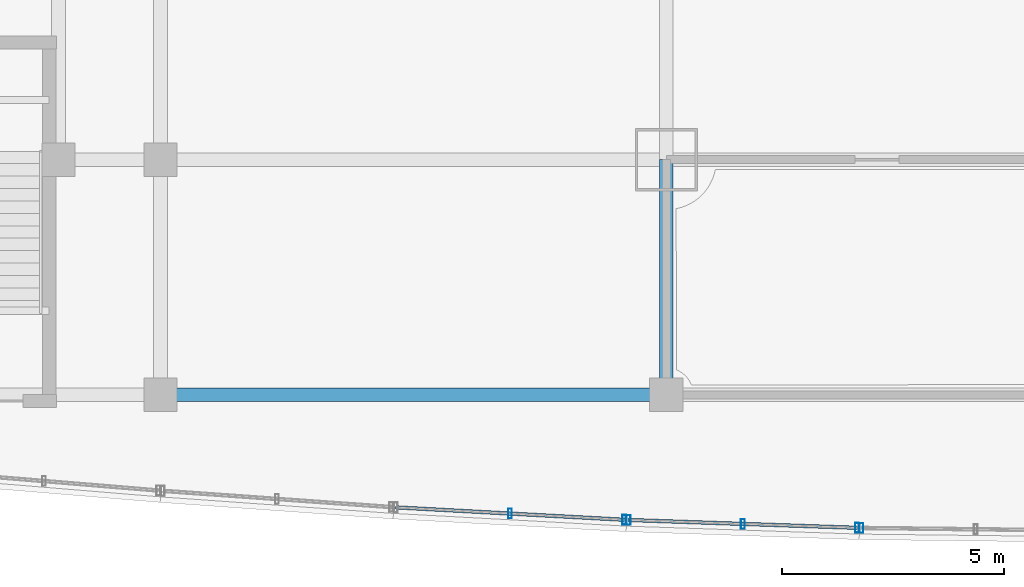
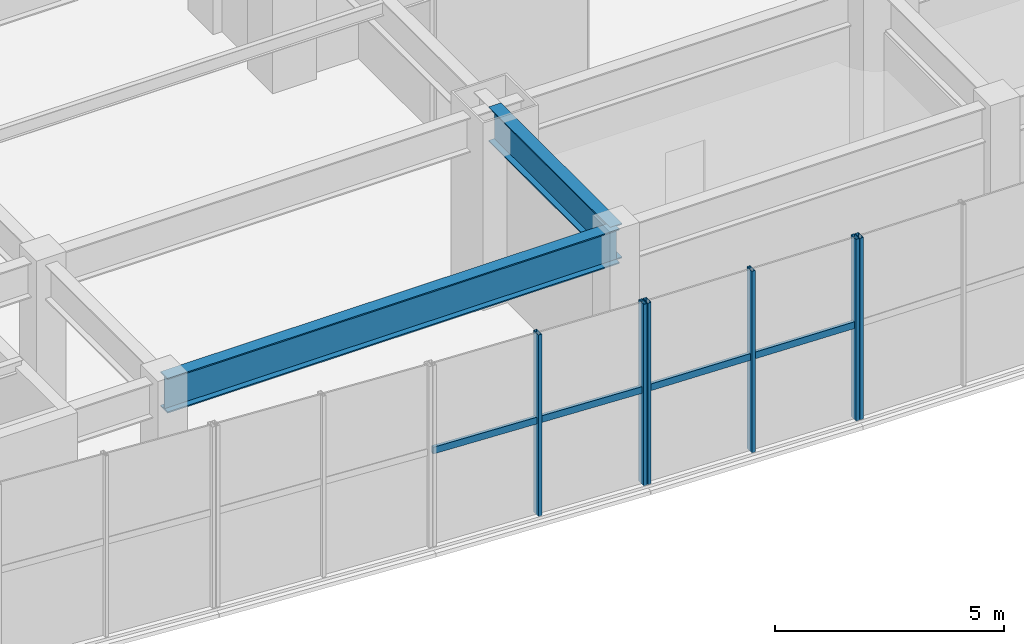
# One storey, part 4 of 24: 8 members, 2 beams, 3 elements without a shape of their own.
"""IFC4 building model written with IfcOpenShell, lengths in metres."""

from ifc_helpers import new_model, si_unit, direction, frame, origin, origin_2d, place, context, subcontext, project, spatial, hollow_rectangle, i_section, extrude, material, layer, layer_set, material_profile, profile_set, type_object, element, aggregate, save


model = new_model("IFC4")

# Units and contexts
model_context = context("Model", 3, precision=1e-05, world=origin(), true_north=direction((0.0, 1.0)))
body_context = subcontext(model_context, "Body", "Model", "MODEL_VIEW")
ifc_project = project(units=[si_unit("LENGTHUNIT", "METRE"), si_unit("AREAUNIT", "SQUARE_METRE"), si_unit("VOLUMEUNIT", "CUBIC_METRE"), si_unit("PLANEANGLEUNIT", "RADIAN"), si_unit("MASSUNIT", "GRAM", prefix="KILO")], contexts=[model_context])

# Site, building, storey
site_placement = place(None, origin())
site = spatial("IfcSite", under=ifc_project, at=site_placement, CompositionType="ELEMENT")
building_placement = place(site_placement, origin())
building = spatial("IfcBuilding", under=site, at=building_placement, Name="Vantalir Tower", CompositionType="ELEMENT")
storey_placement = place(building_placement, frame((0.0, 0.0, 11.0)))
storey = spatial("IfcBuildingStorey", under=building, at=storey_placement, Name="L02", CompositionType="ELEMENT", Elevation=11.0)

# Beams
ifc_material_1 = material(Name="Steel S355", Category="steel")
ifc_material_profile_1 = material_profile(ifc_material_1, i_section(OverallWidth=0.30810546875, OverallDepth=0.927001953125, WebThickness=0.01953125, FlangeThickness=0.031982421875, at=origin_2d()), Name="Steel S355")
ifc_profile_set_1 = profile_set([ifc_material_profile_1], Name="Steel S355")
beam_type = type_object("IfcBeamType", Name="BM-PG-914x305", PredefinedType="USERDEFINED", material=ifc_profile_set_1)
beam_1_placement = place(storey_placement, frame((10.5, 3.199951171875, 4.35595703125), z_axis=(1.0, 0.0, 0.0), x_axis=(0.0, 1.0, 0.0)))
element("IfcBeam", 1, at=beam_1_placement, inside=storey, type_object=beam_type, Name="Level 02 Podium E-W Girder 02", ObjectType="GIRDER", PredefinedType="USERDEFINED", context=body_context, shape_type="SweptSolid", body=[
    extrude(i_section(OverallWidth=0.30810546875, OverallDepth=0.927001953125, WebThickness=0.01953125, FlangeThickness=0.031982421875, at=origin_2d()), origin(), (0.0, 0.0, 1.0), 11.39990234375),
])
beam_2_placement = place(storey_placement, frame((21.89990234375, 3.199951171875, 4.35595703125), z_axis=(0.0, 1.0, 0.0), x_axis=(-1.0, 0.0, 0.0)))
element("IfcBeam", 2, at=beam_2_placement, inside=storey, type_object=beam_type, Name="Level 02 Podium N-S Girder 56", ObjectType="GIRDER", PredefinedType="USERDEFINED", context=body_context, shape_type="SweptSolid", body=[
    extrude(i_section(OverallWidth=0.30810546875, OverallDepth=0.927001953125, WebThickness=0.01953125, FlangeThickness=0.031982421875, at=origin_2d()), origin(), (0.0, 0.0, 1.0), 5.300048828125),
])

# Curtain wall, members
ifc_material_2 = material(Name="Champagne-silver PVDF aluminium and double-silver Low-E glass", Category="aluminium")
ifc_layer = layer(ifc_material_2, 0.239990234375)
ifc_layer_set = layer_set([ifc_layer], Name="Champagne-silver PVDF aluminium and double-silver Low-E glass")
curtain_wall_type = type_object("IfcCurtainWallType", Name="CW-PODIUM-WF", PredefinedType="USERDEFINED", material=ifc_layer_set)
curtain_wall_1_placement = place(storey_placement, origin())
curtain_wall_1 = element("IfcCurtainWall", 3, at=curtain_wall_1_placement, inside=storey, type_object=curtain_wall_type, Name="Level 02 Waterfront Stick Curtain Wall 04", ObjectType="STICK CURTAIN WALL", PredefinedType="USERDEFINED")
ifc_material_3 = material(Name="Champagne-silver PVDF aluminium 6063-T6", Category="aluminium")
ifc_material_profile_2 = material_profile(ifc_material_3, hollow_rectangle(XDim=0.0849609375, YDim=0.219970703125, WallThickness=0.0048828125, at=origin_2d()), Name="Champagne-silver PVDF aluminium 6063-T6")
ifc_profile_set_2 = profile_set([ifc_material_profile_2], Name="Champagne-silver PVDF aluminium 6063-T6")
member_type_1 = type_object("IfcMemberType", Name="CWM-220x85", PredefinedType="MULLION", material=ifc_profile_set_2)
member_1_placement = place(storey_placement, frame((18.375, 0.52392578125, -0.011962890625), z_axis=(0.0, 0.0, 1.0), x_axis=(1.0, 0.0, 0.0)))
member_1 = element("IfcMember", 4, at=member_1_placement, type_object=member_type_1, Name="CW-L02-WF-04 Mullion 2", PredefinedType="MULLION", context=body_context, shape_type="SweptSolid", body=[
    extrude(hollow_rectangle(XDim=0.0849609375, YDim=0.219970703125, WallThickness=0.0048828125, at=origin_2d()), origin(), (0.0, 0.0, 1.0), 4.843994140625),
])
member_2_placement = place(storey_placement, frame((20.949951171875, 0.384033203125, -0.011962890625), z_axis=(0.0, 0.0, 1.0), x_axis=(1.0, 0.0, 0.0)))
member_2 = element("IfcMember", 5, at=member_2_placement, type_object=member_type_1, Name="CW-L02-WF-04 Mullion 3", PredefinedType="MULLION", context=body_context, shape_type="SweptSolid", body=[
    extrude(hollow_rectangle(XDim=0.0849609375, YDim=0.219970703125, WallThickness=0.0048828125, at=origin_2d()), origin(), (0.0, 0.0, 1.0), 4.843994140625),
])

curtain_wall_2_placement = place(storey_placement, origin())
curtain_wall_2 = element("IfcCurtainWall", 6, at=curtain_wall_2_placement, inside=storey, type_object=curtain_wall_type, Name="Level 02 Waterfront Stick Curtain Wall 05", ObjectType="STICK CURTAIN WALL", PredefinedType="USERDEFINED")
member_3_placement = place(storey_placement, frame((21.050048828125, 0.37890625, -0.011962890625), z_axis=(0.0, 0.0, 1.0), x_axis=(1.0, 0.0, 0.0)))
member_3 = element("IfcMember", 7, at=member_3_placement, type_object=member_type_1, Name="CW-L02-WF-05 Mullion 1", PredefinedType="MULLION", context=body_context, shape_type="SweptSolid", body=[
    extrude(hollow_rectangle(XDim=0.0849609375, YDim=0.219970703125, WallThickness=0.0048828125, at=origin_2d()), origin(), (0.0, 0.0, 1.0), 4.843994140625),
])
member_4_placement = place(storey_placement, frame((23.625, 0.291015625, -0.011962890625), z_axis=(0.0, 0.0, 1.0), x_axis=(1.0, 0.0, 0.0)))
member_4 = element("IfcMember", 8, at=member_4_placement, type_object=member_type_1, Name="CW-L02-WF-05 Mullion 2", PredefinedType="MULLION", context=body_context, shape_type="SweptSolid", body=[
    extrude(hollow_rectangle(XDim=0.0849609375, YDim=0.219970703125, WallThickness=0.0048828125, at=origin_2d()), origin(), (0.0, 0.0, 1.0), 4.843994140625),
])
member_5_placement = place(storey_placement, frame((26.199951171875, 0.202880859375, -0.011962890625), z_axis=(0.0, 0.0, 1.0), x_axis=(1.0, 0.0, 0.0)))
member_5 = element("IfcMember", 9, at=member_5_placement, type_object=member_type_1, Name="CW-L02-WF-05 Mullion 3", PredefinedType="MULLION", context=body_context, shape_type="SweptSolid", body=[
    extrude(hollow_rectangle(XDim=0.0849609375, YDim=0.219970703125, WallThickness=0.0048828125, at=origin_2d()), origin(), (0.0, 0.0, 1.0), 4.843994140625),
])

# Curtain wall, member
curtain_wall_3_placement = place(storey_placement, origin())
curtain_wall_3 = element("IfcCurtainWall", 10, at=curtain_wall_3_placement, inside=storey, type_object=curtain_wall_type, Name="Level 02 Waterfront Stick Curtain Wall 06", ObjectType="STICK CURTAIN WALL", PredefinedType="USERDEFINED")
member_6_placement = place(storey_placement, frame((26.300048828125, 0.199951171875, -0.011962890625), z_axis=(0.0, 0.0, 1.0), x_axis=(1.0, 0.0, 0.0)))
member_6 = element("IfcMember", 11, at=member_6_placement, type_object=member_type_1, Name="CW-L02-WF-06 Mullion 1", PredefinedType="MULLION", context=body_context, shape_type="SweptSolid", body=[
    extrude(hollow_rectangle(XDim=0.0849609375, YDim=0.219970703125, WallThickness=0.0048828125, at=origin_2d()), origin(), (0.0, 0.0, 1.0), 4.843994140625),
])
aggregate(curtain_wall_3, [member_6])

# Member
ifc_material_profile_3 = material_profile(ifc_material_3, hollow_rectangle(XDim=0.080078125, YDim=0.179931640625, WallThickness=0.0048828125, at=origin_2d()), Name="Champagne-silver PVDF aluminium 6063-T6")
ifc_profile_set_3 = profile_set([ifc_material_profile_3], Name="Champagne-silver PVDF aluminium 6063-T6")
member_type_2 = type_object("IfcMemberType", Name="CWT-180x80", PredefinedType="USERDEFINED", material=ifc_profile_set_3)
member_7_placement = place(storey_placement, frame((15.800048828125, 0.6640625, 2.506103515625), z_axis=(0.99852491449, -0.054295443108, 0.0), x_axis=(0.054295443108, 0.99852491449, 0.0)))
member_7 = element("IfcMember", 12, at=member_7_placement, type_object=member_type_2, Name="CW-L02-WF-04 Transom 1", ObjectType="TRANSOM", PredefinedType="USERDEFINED", context=body_context, shape_type="SweptSolid", body=[
    extrude(hollow_rectangle(XDim=0.080078125, YDim=0.179931640625, WallThickness=0.0048828125, at=origin_2d()), origin(), (0.0, 0.0, 1.0), 5.157470703125),
])

aggregate(curtain_wall_1, [member_1, member_2, member_7])

member_8_placement = place(storey_placement, frame((21.050048828125, 0.37890625, 2.506103515625), z_axis=(0.999416363673, -0.034160386755, 0.0), x_axis=(0.034160386755, 0.999416363673, 0.0)))
member_8 = element("IfcMember", 13, at=member_8_placement, type_object=member_type_2, Name="CW-L02-WF-05 Transom 1", ObjectType="TRANSOM", PredefinedType="USERDEFINED", context=body_context, shape_type="SweptSolid", body=[
    extrude(hollow_rectangle(XDim=0.080078125, YDim=0.179931640625, WallThickness=0.0048828125, at=origin_2d()), origin(), (0.0, 0.0, 1.0), 5.15283203125),
])

aggregate(curtain_wall_2, [member_3, member_4, member_5, member_8])

save(model, "model.ifc")
